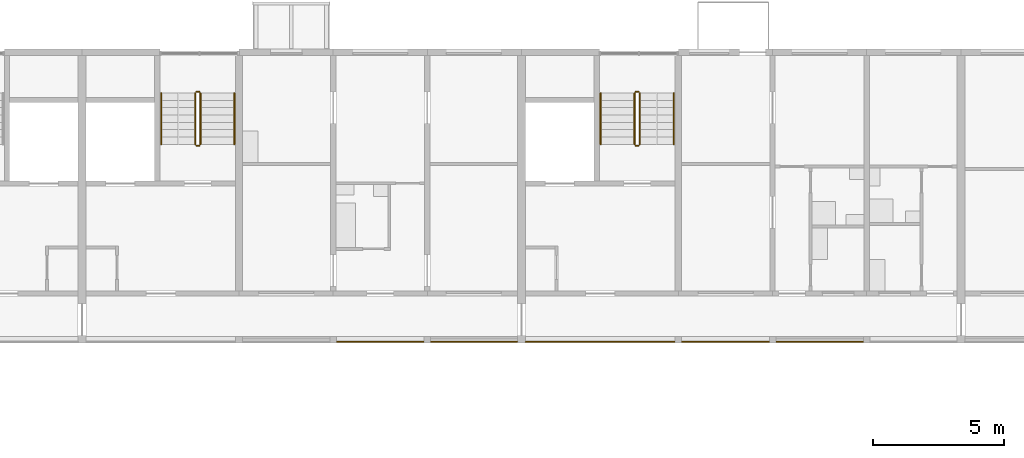
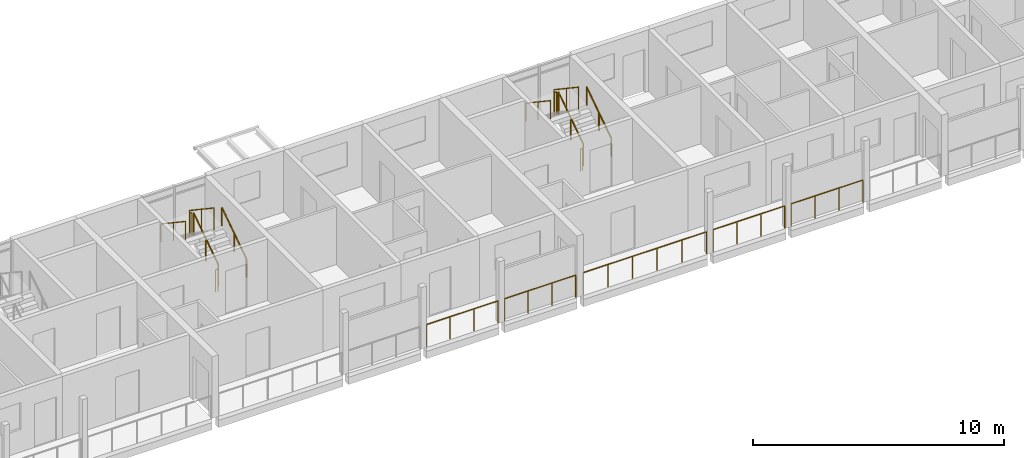
# One storey, part 81 of 99: 17 railings.
"""IFC4 building model written with IfcOpenShell, lengths in metres."""

import ifcopenshell
import ifcopenshell.guid

model = None  # the IFC model being written
_history = None  # IfcOwnerHistory: only IFC2X3 demands one
_inside = {}  # id of a spatial element -> (the spatial element, [elements in it])
_under = {}  # id of a project, library or spatial element -> (it, [spatial elements below it])
_declared = {}  # id of a project -> (the project, [libraries it declares])
_typed = {}  # id of a type object -> (the type object, [elements of that type])
_made_of = {}  # id of a material, layer set ... -> (it, [elements and type objects made of it])


def new_model(schema):
    """Start an empty IFC model of exactly this schema.

    Asked for "IFC4X3", IfcOpenShell would pick the latest addendum, in which some entities
    have other attributes; the version numbers below select the first issue.
    IFC2X3 requires an IfcOwnerHistory on every rooted entity: one is made here for all.
    """
    global model, _history
    if schema == "IFC4X3":
        model = ifcopenshell.file(schema_version=(4, 3, 0, 0))
    else:
        model = ifcopenshell.file(schema=schema)
    _inside.clear()
    _under.clear()
    _declared.clear()
    _typed.clear()
    _made_of.clear()
    _history = None
    if model.schema == "IFC2X3":
        org = make("IfcOrganization", Name="unknown")
        user = make(
            "IfcPersonAndOrganization",
            ThePerson=make("IfcPerson", FamilyName="unknown"),
            TheOrganization=org,
        )
        app = make(
            "IfcApplication",
            ApplicationDeveloper=org,
            Version="unknown",
            ApplicationFullName="unknown",
            ApplicationIdentifier="unknown",
        )
        _history = make(
            "IfcOwnerHistory",
            OwningUser=user,
            OwningApplication=app,
            ChangeAction="ADDED",
            CreationDate=0,
        )
    return model


def make(cls, **values):
    """One entity of the class cls with the attributes given. An attribute that is None is left unset."""
    return model.create_entity(
        cls, **{name: value for name, value in values.items() if value is not None}
    )


def rooted(cls, **values):
    """An entity with a GlobalId (a new one), such as an element, a storey or a relation."""
    return make(cls, GlobalId=ifcopenshell.guid.new(), OwnerHistory=_history, **values)


def si_unit(unit_type, name, prefix=None):
    """IfcSIUnit, for example si_unit("LENGTHUNIT", "METRE", prefix="MILLI")."""
    return make("IfcSIUnit", UnitType=unit_type, Prefix=prefix, Name=name)


def assignment(units):
    """IfcUnitAssignment: the units of a project."""
    return None if units is None else make("IfcUnitAssignment", Units=units)


def point(xyz):
    """IfcCartesianPoint."""
    return None if xyz is None else make("IfcCartesianPoint", Coordinates=xyz)


def direction(xyz):
    """IfcDirection."""
    return None if xyz is None else make("IfcDirection", DirectionRatios=xyz)


def frame(location, z_axis=None, x_axis=None):
    """IfcAxis2Placement3D, a coordinate frame: its origin and axes. An axis left out is left unset."""
    return make(
        "IfcAxis2Placement3D",
        Location=point(location),
        Axis=direction(z_axis),
        RefDirection=direction(x_axis),
    )


def frame_2d(location, x_axis=None):
    """IfcAxis2Placement2D, a coordinate frame in the plane: its origin and x axis."""
    return make(
        "IfcAxis2Placement2D", Location=point(location), RefDirection=direction(x_axis)
    )


def origin():
    """The frame at (0, 0, 0) with its axes left unset."""
    return frame((0.0, 0.0, 0.0))


def origin_2d():
    """The frame at (0, 0) in the plane with its x axis left unset."""
    return frame_2d((0.0, 0.0))


def place(relative_to, where):
    """IfcLocalPlacement: puts the frame where relative to a parent placement (None: the world)."""
    return make(
        "IfcLocalPlacement", PlacementRelTo=relative_to, RelativePlacement=where
    )


def context(
    kind, dimensions, precision=None, world=None, true_north=None, identifier=None
):
    """IfcGeometricRepresentationContext, for example the 3D "Model" context."""
    return make(
        "IfcGeometricRepresentationContext",
        ContextIdentifier=identifier,
        ContextType=kind,
        CoordinateSpaceDimension=dimensions,
        Precision=precision,
        WorldCoordinateSystem=world,
        TrueNorth=true_north,
    )


def subcontext(parent, identifier, kind, view, scale=None):
    """IfcGeometricRepresentationSubContext, for example "Body" below "Model"."""
    return make(
        "IfcGeometricRepresentationSubContext",
        ContextIdentifier=identifier,
        ContextType=kind,
        ParentContext=parent,
        TargetScale=scale,
        TargetView=view,
    )


def project(units=None, contexts=None):
    """IfcProject with its units and contexts."""
    return rooted(
        "IfcProject",
        Name="project",
        RepresentationContexts=contexts,
        UnitsInContext=assignment(units),
    )


def spatial(cls, under=None, at=None, **own):
    """A site, building, storey or space (cls), placed at a placement, below another one or the project."""
    s = rooted(cls, ObjectPlacement=at, **own)
    if under is not None:
        _under.setdefault(under.id(), (under, []))[1].append(s)
    return s


def profile(cls, at=None, kind="AREA", **sizes):
    """A parametric profile (cls). Its sizes go by their IFC names, for example OverallWidth=200.0."""
    return make(cls, ProfileType=kind, Position=at, **sizes)


def circle(**sizes):
    """IfcCircleProfileDef."""
    return profile("IfcCircleProfileDef", **sizes)


def extrude(swept, where, along, depth):
    """IfcExtrudedAreaSolid: the profile swept, set in the frame where, extruded along a direction by depth."""
    return make(
        "IfcExtrudedAreaSolid",
        SweptArea=swept,
        Position=where,
        ExtrudedDirection=direction(along),
        Depth=depth,
    )


def shape(context_of_items, identifier, shape_type, items):
    """IfcShapeRepresentation: the items that make up one representation, for example the "Body"."""
    return make(
        "IfcShapeRepresentation",
        ContextOfItems=context_of_items,
        RepresentationIdentifier=identifier,
        RepresentationType=shape_type,
        Items=items,
    )


def material(Name=None, Category=None):
    """IfcMaterial."""
    return make("IfcMaterial", Name=Name, Category=Category)


def made_of(thing, what):
    """Note that an element or type object is made of a material, layer set ...; save() writes the relation."""
    if what is not None:
        _made_of.setdefault(what.id(), (what, []))[1].append(thing)
    return thing


def type_object(cls, material=None, **own):
    """A type object (cls), such as IfcWallType, which elements share."""
    return made_of(rooted(cls, **own), material)


def element(
    cls,
    number,
    at=None,
    inside=None,
    cuts=None,
    type_object=None,
    material=None,
    context=None,
    identifier="Body",
    shape_type=None,
    held_by="IfcProductDefinitionShape",
    body=None,
    shapes=None,
    **own,
):
    """One element of the class cls, such as IfcWall. Its Tag is "e" and its number.

    at: its placement. inside: the storey or other place that contains it. cuts: it is an
    opening in that element (IfcRelVoidsElement). A single representation is given by context,
    identifier, shape_type and body (its items); several are given by shapes. held_by: the class
    of the entity that holds the representations. save() writes the other relations.
    """
    e = rooted(cls, Tag="e%d" % number, ObjectPlacement=at, **own)
    if body is not None:
        shapes = [shape(context, identifier, shape_type, body)]
    if shapes is not None:
        e.Representation = make(held_by, Representations=shapes)
    if inside is not None:
        _inside.setdefault(inside.id(), (inside, []))[1].append(e)
    if cuts is not None:
        rooted(
            "IfcRelVoidsElement", RelatingBuildingElement=cuts, RelatedOpeningElement=e
        )
    if type_object is not None:
        _typed.setdefault(type_object.id(), (type_object, []))[1].append(e)
    return made_of(e, material)


def aggregate(whole, parts):
    """IfcRelAggregates: a whole, such as a stair, and the parts it consists of."""
    return rooted("IfcRelAggregates", RelatingObject=whole, RelatedObjects=parts)


def save(model, path):
    """Write the relations noted so far, then the file.

    IfcRelAggregates (storeys below a building ...), IfcRelContainedInSpatialStructure (elements
    in a storey), IfcRelDefinesByType, IfcRelAssociatesMaterial and IfcRelDeclares: one each for
    every whole, place, type object, material and project.
    """
    for whole, parts in _under.values():
        aggregate(whole, parts)
    for where, things in _inside.values():
        rooted(
            "IfcRelContainedInSpatialStructure",
            RelatedElements=things,
            RelatingStructure=where,
        )
    for kind, things in _typed.values():
        rooted("IfcRelDefinesByType", RelatedObjects=things, RelatingType=kind)
    for what, things in _made_of.values():
        rooted("IfcRelAssociatesMaterial", RelatedObjects=things, RelatingMaterial=what)
    for by, libraries in _declared.values():
        rooted("IfcRelDeclares", RelatingContext=by, RelatedDefinitions=libraries)
    model.write(path)


model = new_model("IFC4")

# Units and contexts
model_context = context("Model", 3, precision=1e-05, world=origin(), true_north=direction((0.0, 1.0)))
body_context = subcontext(model_context, "Body", "Model", "MODEL_VIEW")
ifc_project = project(units=[si_unit("LENGTHUNIT", "METRE"), si_unit("AREAUNIT", "SQUARE_METRE"), si_unit("VOLUMEUNIT", "CUBIC_METRE"), si_unit("PLANEANGLEUNIT", "RADIAN"), si_unit("MASSUNIT", "GRAM", prefix="KILO")], contexts=[model_context])

# Site, building, storey
site_placement = place(None, origin())
site = spatial("IfcSite", under=ifc_project, at=site_placement, CompositionType="ELEMENT")
building_placement = place(site_placement, origin())
building = spatial("IfcBuilding", under=site, at=building_placement, Name="Ridgestep Commons", CompositionType="ELEMENT")
storey_placement = place(building_placement, frame((0.0, 0.0, 15.0)))
storey = spatial("IfcBuildingStorey", under=building, at=storey_placement, Name="L05", CompositionType="ELEMENT", Elevation=15.0)

# Railings
ifc_material_1 = material(Name="Structural steel S355JR", Category="steel")
railing_type_1 = type_object("IfcRailingType", Name="Guard 1100", PredefinedType="GUARDRAIL", material=ifc_material_1)
railing_1_placement = place(storey_placement, frame((38.5458984375, 66.050048828125, 0.0)))
element("IfcRailing", 1, at=railing_1_placement, inside=storey, type_object=railing_type_1, Name="Gallery guard B 05.7", PredefinedType="GUARDRAIL", context=body_context, shape_type="SweptSolid", body=[
    extrude(circle(Radius=0.02392578125, at=origin_2d()), frame((0.0, 0.0, 1.076171875), z_axis=(1.0, 0.0, 0.0), x_axis=(0.0, 1.0, 0.0)), (0.0, 0.0, 1.0), 3.30810546875),
    extrude(circle(Radius=0.02099609375, at=origin_2d()), origin(), (0.0, 0.0, 1.0), 1.052001953125),
    extrude(circle(Radius=0.02099609375, at=origin_2d()), frame((1.102783203125, 0.0, 0.0)), (0.0, 0.0, 1.0), 1.052001953125),
    extrude(circle(Radius=0.02099609375, at=origin_2d()), frame((2.205322265625, 0.0, 0.0)), (0.0, 0.0, 1.0), 1.052001953125),
    extrude(circle(Radius=0.02099609375, at=origin_2d()), frame((3.30810546875, 0.0, 0.0)), (0.0, 0.0, 1.0), 1.052001953125),
])
railing_2_placement = place(storey_placement, frame((42.14599609375, 66.050048828125, 0.0)))
element("IfcRailing", 2, at=railing_2_placement, inside=storey, type_object=railing_type_1, Name="Gallery guard B 05.8", PredefinedType="GUARDRAIL", context=body_context, shape_type="SweptSolid", body=[
    extrude(circle(Radius=0.02392578125, at=origin_2d()), frame((0.0, 0.0, 1.076171875), z_axis=(1.0, 0.0, 0.0), x_axis=(0.0, 1.0, 0.0)), (0.0, 0.0, 1.0), 3.282958984375),
    extrude(circle(Radius=0.02099609375, at=origin_2d()), origin(), (0.0, 0.0, 1.0), 1.052001953125),
    extrude(circle(Radius=0.02099609375, at=origin_2d()), frame((1.09423828125, 0.0, 0.0)), (0.0, 0.0, 1.0), 1.052001953125),
    extrude(circle(Radius=0.02099609375, at=origin_2d()), frame((2.188720703125, 0.0, 0.0)), (0.0, 0.0, 1.0), 1.052001953125),
    extrude(circle(Radius=0.02099609375, at=origin_2d()), frame((3.282958984375, 0.0, 0.0)), (0.0, 0.0, 1.0), 1.052001953125),
])
railing_3_placement = place(storey_placement, frame((45.77099609375, 66.050048828125, 0.0)))
element("IfcRailing", 3, at=railing_3_placement, inside=storey, type_object=railing_type_1, Name="Gallery guard B 05.9", PredefinedType="GUARDRAIL", context=body_context, shape_type="SweptSolid", body=[
    extrude(circle(Radius=0.02392578125, at=origin_2d()), frame((0.0, 0.0, 1.076171875), z_axis=(1.0, 0.0, 0.0), x_axis=(0.0, 1.0, 0.0)), (0.0, 0.0, 1.0), 5.68310546875),
    extrude(circle(Radius=0.02099609375, at=origin_2d()), origin(), (0.0, 0.0, 1.0), 1.052001953125),
    extrude(circle(Radius=0.02099609375, at=origin_2d()), frame((1.13671875, 0.0, 0.0)), (0.0, 0.0, 1.0), 1.052001953125),
    extrude(circle(Radius=0.02099609375, at=origin_2d()), frame((2.273193359375, 0.0, 0.0)), (0.0, 0.0, 1.0), 1.052001953125),
    extrude(circle(Radius=0.02099609375, at=origin_2d()), frame((3.409912109375, 0.0, 0.0)), (0.0, 0.0, 1.0), 1.052001953125),
    extrude(circle(Radius=0.02099609375, at=origin_2d()), frame((4.54638671875, 0.0, 0.0)), (0.0, 0.0, 1.0), 1.052001953125),
    extrude(circle(Radius=0.02099609375, at=origin_2d()), frame((5.68310546875, 0.0, 0.0)), (0.0, 0.0, 1.0), 1.052001953125),
])
railing_4_placement = place(storey_placement, frame((51.74609375, 66.050048828125, 0.0)))
element("IfcRailing", 4, at=railing_4_placement, inside=storey, type_object=railing_type_1, Name="Gallery guard B 05.10", PredefinedType="GUARDRAIL", context=body_context, shape_type="SweptSolid", body=[
    extrude(circle(Radius=0.02392578125, at=origin_2d()), frame((0.0, 0.0, 1.076171875), z_axis=(1.0, 0.0, 0.0), x_axis=(0.0, 1.0, 0.0)), (0.0, 0.0, 1.0), 3.307861328125),
    extrude(circle(Radius=0.02099609375, at=origin_2d()), origin(), (0.0, 0.0, 1.0), 1.052001953125),
    extrude(circle(Radius=0.02099609375, at=origin_2d()), frame((1.1025390625, 0.0, 0.0)), (0.0, 0.0, 1.0), 1.052001953125),
    extrude(circle(Radius=0.02099609375, at=origin_2d()), frame((2.205322265625, 0.0, 0.0)), (0.0, 0.0, 1.0), 1.052001953125),
    extrude(circle(Radius=0.02099609375, at=origin_2d()), frame((3.307861328125, 0.0, 0.0)), (0.0, 0.0, 1.0), 1.052001953125),
])
railing_5_placement = place(storey_placement, frame((55.345947265625, 66.050048828125, 0.0)))
element("IfcRailing", 5, at=railing_5_placement, inside=storey, type_object=railing_type_1, Name="Gallery guard B 05.11", PredefinedType="GUARDRAIL", context=body_context, shape_type="SweptSolid", body=[
    extrude(circle(Radius=0.02392578125, at=origin_2d()), frame((0.0, 0.0, 1.076171875), z_axis=(1.0, 0.0, 0.0), x_axis=(0.0, 1.0, 0.0)), (0.0, 0.0, 1.0), 3.30810546875),
    extrude(circle(Radius=0.02099609375, at=origin_2d()), origin(), (0.0, 0.0, 1.0), 1.052001953125),
    extrude(circle(Radius=0.02099609375, at=origin_2d()), frame((1.102783203125, 0.0, 0.0)), (0.0, 0.0, 1.0), 1.052001953125),
    extrude(circle(Radius=0.02099609375, at=origin_2d()), frame((2.205322265625, 0.0, 0.0)), (0.0, 0.0, 1.0), 1.052001953125),
    extrude(circle(Radius=0.02099609375, at=origin_2d()), frame((3.30810546875, 0.0, 0.0)), (0.0, 0.0, 1.0), 1.052001953125),
])
ifc_material_2 = material(Name="Structural steel S355JR", Category="steel")
railing_type_2 = type_object("IfcRailingType", Name="Stair guard 1100", PredefinedType="GUARDRAIL", material=ifc_material_2)
railing_6_placement = place(storey_placement, frame((33.324951171875, 73.60009765625, 0.1875)))
element("IfcRailing", 6, at=railing_6_placement, inside=storey, type_object=railing_type_2, Name="L05 B2C stair guard 1", PredefinedType="GUARDRAIL", context=body_context, shape_type="SweptSolid", body=[
    extrude(circle(Radius=0.02392578125, at=origin_2d()), frame((0.0, 0.0, 1.076171875), z_axis=(0.0, 0.830902050051, 0.556418712142), x_axis=(-1.0, 0.0, 0.0)), (0.0, 0.0, 1.0), 2.35888671875),
    extrude(circle(Radius=0.02099609375, at=origin_2d()), origin(), (0.0, 0.0, 1.0), 1.052001953125),
    extrude(circle(Radius=0.02099609375, at=origin_2d()), frame((0.0, 0.97998046875, 0.65625)), (0.0, 0.0, 1.0), 1.052001953125),
    extrude(circle(Radius=0.02099609375, at=origin_2d()), frame((0.0, 1.9599609375, 1.3125)), (0.0, 0.0, 1.0), 1.052001953125),
])
railing_7_placement = place(storey_placement, frame((33.27490234375, 75.610107421875, 1.5)))
element("IfcRailing", 7, at=railing_7_placement, inside=storey, type_object=railing_type_2, Name="L05 B2C stair guard 2", PredefinedType="GUARDRAIL", context=body_context, shape_type="SweptSolid", body=[
    extrude(circle(Radius=0.02392578125, at=origin_2d()), frame((0.0, 0.0, 1.076171875), z_axis=(-1.0, 0.0, 0.0), x_axis=(0.0, -1.0, 0.0)), (0.0, 0.0, 1.0), 0.099853515625),
    extrude(circle(Radius=0.02099609375, at=origin_2d()), origin(), (0.0, 0.0, 1.0), 1.052001953125),
    extrude(circle(Radius=0.02099609375, at=origin_2d()), frame((-0.099853515625, 0.0, 0.0)), (0.0, 0.0, 1.0), 1.052001953125),
])
railing_8_placement = place(storey_placement, frame((33.125, 75.56005859375, 1.6875)))
element("IfcRailing", 8, at=railing_8_placement, inside=storey, type_object=railing_type_2, Name="L05 B2C stair guard 3", PredefinedType="GUARDRAIL", context=body_context, shape_type="SweptSolid", body=[
    extrude(circle(Radius=0.02392578125, at=origin_2d()), frame((0.0, 0.0, 1.076171875), z_axis=(0.0, -0.830902050051, 0.556418712142), x_axis=(1.0, 0.0, 0.0)), (0.0, 0.0, 1.0), 2.35888671875),
    extrude(circle(Radius=0.02099609375, at=origin_2d()), origin(), (0.0, 0.0, 1.0), 1.052001953125),
    extrude(circle(Radius=0.02099609375, at=origin_2d()), frame((0.0, -0.97998046875, 0.65625)), (0.0, 0.0, 1.0), 1.052001953125),
    extrude(circle(Radius=0.02099609375, at=origin_2d()), frame((0.0, -1.9599609375, 1.3125)), (0.0, 0.0, 1.0), 1.052001953125),
])
railing_9_placement = place(storey_placement, frame((33.27490234375, 73.550048828125, 0.0)))
element("IfcRailing", 9, at=railing_9_placement, inside=storey, type_object=railing_type_2, Name="L05 B2C stair guard 4", PredefinedType="GUARDRAIL", context=body_context, shape_type="SweptSolid", body=[
    extrude(circle(Radius=0.02392578125, at=origin_2d()), frame((0.0, 0.0, 1.076171875), z_axis=(-1.0, 0.0, 0.0), x_axis=(0.0, -1.0, 0.0)), (0.0, 0.0, 1.0), 0.099853515625),
    extrude(circle(Radius=0.02099609375, at=origin_2d()), origin(), (0.0, 0.0, 1.0), 1.052001953125),
    extrude(circle(Radius=0.02099609375, at=origin_2d()), frame((-0.099853515625, 0.0, 0.0)), (0.0, 0.0, 1.0), 1.052001953125),
])
railing_10_placement = place(storey_placement, frame((50.125, 73.60009765625, 0.1875)))
element("IfcRailing", 10, at=railing_10_placement, inside=storey, type_object=railing_type_2, Name="L05 B3C stair guard 1", PredefinedType="GUARDRAIL", context=body_context, shape_type="SweptSolid", body=[
    extrude(circle(Radius=0.02392578125, at=origin_2d()), frame((0.0, 0.0, 1.076171875), z_axis=(0.0, 0.830902050051, 0.556418712142), x_axis=(-1.0, 0.0, 0.0)), (0.0, 0.0, 1.0), 2.35888671875),
    extrude(circle(Radius=0.02099609375, at=origin_2d()), origin(), (0.0, 0.0, 1.0), 1.052001953125),
    extrude(circle(Radius=0.02099609375, at=origin_2d()), frame((0.0, 0.97998046875, 0.65625)), (0.0, 0.0, 1.0), 1.052001953125),
    extrude(circle(Radius=0.02099609375, at=origin_2d()), frame((0.0, 1.9599609375, 1.3125)), (0.0, 0.0, 1.0), 1.052001953125),
])
railing_11_placement = place(storey_placement, frame((50.074951171875, 75.610107421875, 1.5)))
element("IfcRailing", 11, at=railing_11_placement, inside=storey, type_object=railing_type_2, Name="L05 B3C stair guard 2", PredefinedType="GUARDRAIL", context=body_context, shape_type="SweptSolid", body=[
    extrude(circle(Radius=0.02392578125, at=origin_2d()), frame((0.0, 0.0, 1.076171875), z_axis=(-1.0, 0.0, 0.0), x_axis=(0.0, -1.0, 0.0)), (0.0, 0.0, 1.0), 0.099853515625),
    extrude(circle(Radius=0.02099609375, at=origin_2d()), origin(), (0.0, 0.0, 1.0), 1.052001953125),
    extrude(circle(Radius=0.02099609375, at=origin_2d()), frame((-0.099853515625, 0.0, 0.0)), (0.0, 0.0, 1.0), 1.052001953125),
])
railing_12_placement = place(storey_placement, frame((49.925048828125, 75.56005859375, 1.6875)))
element("IfcRailing", 12, at=railing_12_placement, inside=storey, type_object=railing_type_2, Name="L05 B3C stair guard 3", PredefinedType="GUARDRAIL", context=body_context, shape_type="SweptSolid", body=[
    extrude(circle(Radius=0.02392578125, at=origin_2d()), frame((0.0, 0.0, 1.076171875), z_axis=(0.0, -0.830902050051, 0.556418712142), x_axis=(1.0, 0.0, 0.0)), (0.0, 0.0, 1.0), 2.35888671875),
    extrude(circle(Radius=0.02099609375, at=origin_2d()), origin(), (0.0, 0.0, 1.0), 1.052001953125),
    extrude(circle(Radius=0.02099609375, at=origin_2d()), frame((0.0, -0.97998046875, 0.65625)), (0.0, 0.0, 1.0), 1.052001953125),
    extrude(circle(Radius=0.02099609375, at=origin_2d()), frame((0.0, -1.9599609375, 1.3125)), (0.0, 0.0, 1.0), 1.052001953125),
])
railing_13_placement = place(storey_placement, frame((50.074951171875, 73.550048828125, 0.0)))
element("IfcRailing", 13, at=railing_13_placement, inside=storey, type_object=railing_type_2, Name="L05 B3C stair guard 4", PredefinedType="GUARDRAIL", context=body_context, shape_type="SweptSolid", body=[
    extrude(circle(Radius=0.02392578125, at=origin_2d()), frame((0.0, 0.0, 1.076171875), z_axis=(-1.0, 0.0, 0.0), x_axis=(0.0, -1.0, 0.0)), (0.0, 0.0, 1.0), 0.099853515625),
    extrude(circle(Radius=0.02099609375, at=origin_2d()), origin(), (0.0, 0.0, 1.0), 1.052001953125),
    extrude(circle(Radius=0.02099609375, at=origin_2d()), frame((-0.099853515625, 0.0, 0.0)), (0.0, 0.0, 1.0), 1.052001953125),
])
ifc_material_3 = material(Name="Structural steel S355JR", Category="steel")
railing_type_3 = type_object("IfcRailingType", Name="Stair handrail 900", PredefinedType="HANDRAIL", material=ifc_material_3)
railing_14_placement = place(storey_placement, frame((34.625, 73.60009765625, 0.1875)))
element("IfcRailing", 14, at=railing_14_placement, inside=storey, type_object=railing_type_3, Name="L05 B2C stair handrail 1", PredefinedType="HANDRAIL", context=body_context, shape_type="SweptSolid", body=[
    extrude(circle(Radius=0.02392578125, at=origin_2d()), frame((0.0, 0.0, 0.8759765625), z_axis=(0.0, 0.830902050051, 0.556418712142), x_axis=(-1.0, 0.0, 0.0)), (0.0, 0.0, 1.0), 2.35888671875),
    extrude(circle(Radius=0.02099609375, at=origin_2d()), origin(), (0.0, 0.0, 1.0), 0.851806640625),
    extrude(circle(Radius=0.02099609375, at=origin_2d()), frame((0.0, 0.97998046875, 0.65625)), (0.0, 0.0, 1.0), 0.851806640625),
    extrude(circle(Radius=0.02099609375, at=origin_2d()), frame((0.0, 1.9599609375, 1.3125)), (0.0, 0.0, 1.0), 0.851806640625),
])
railing_15_placement = place(storey_placement, frame((31.824951171875, 75.56005859375, 1.6875)))
element("IfcRailing", 15, at=railing_15_placement, inside=storey, type_object=railing_type_3, Name="L05 B2C stair handrail 2", PredefinedType="HANDRAIL", context=body_context, shape_type="SweptSolid", body=[
    extrude(circle(Radius=0.02392578125, at=origin_2d()), frame((0.0, 0.0, 0.8759765625), z_axis=(0.0, -0.830902050051, 0.556418712142), x_axis=(1.0, 0.0, 0.0)), (0.0, 0.0, 1.0), 2.35888671875),
    extrude(circle(Radius=0.02099609375, at=origin_2d()), origin(), (0.0, 0.0, 1.0), 0.851806640625),
    extrude(circle(Radius=0.02099609375, at=origin_2d()), frame((0.0, -0.97998046875, 0.65625)), (0.0, 0.0, 1.0), 0.851806640625),
    extrude(circle(Radius=0.02099609375, at=origin_2d()), frame((0.0, -1.9599609375, 1.3125)), (0.0, 0.0, 1.0), 0.851806640625),
])
railing_16_placement = place(storey_placement, frame((51.425048828125, 73.60009765625, 0.1875)))
element("IfcRailing", 16, at=railing_16_placement, inside=storey, type_object=railing_type_3, Name="L05 B3C stair handrail 1", PredefinedType="HANDRAIL", context=body_context, shape_type="SweptSolid", body=[
    extrude(circle(Radius=0.02392578125, at=origin_2d()), frame((0.0, 0.0, 0.8759765625), z_axis=(0.0, 0.830902050051, 0.556418712142), x_axis=(-1.0, 0.0, 0.0)), (0.0, 0.0, 1.0), 2.35888671875),
    extrude(circle(Radius=0.02099609375, at=origin_2d()), origin(), (0.0, 0.0, 1.0), 0.851806640625),
    extrude(circle(Radius=0.02099609375, at=origin_2d()), frame((0.0, 0.97998046875, 0.65625)), (0.0, 0.0, 1.0), 0.851806640625),
    extrude(circle(Radius=0.02099609375, at=origin_2d()), frame((0.0, 1.9599609375, 1.3125)), (0.0, 0.0, 1.0), 0.851806640625),
])
railing_17_placement = place(storey_placement, frame((48.625, 75.56005859375, 1.6875)))
element("IfcRailing", 17, at=railing_17_placement, inside=storey, type_object=railing_type_3, Name="L05 B3C stair handrail 2", PredefinedType="HANDRAIL", context=body_context, shape_type="SweptSolid", body=[
    extrude(circle(Radius=0.02392578125, at=origin_2d()), frame((0.0, 0.0, 0.8759765625), z_axis=(0.0, -0.830902050051, 0.556418712142), x_axis=(1.0, 0.0, 0.0)), (0.0, 0.0, 1.0), 2.35888671875),
    extrude(circle(Radius=0.02099609375, at=origin_2d()), origin(), (0.0, 0.0, 1.0), 0.851806640625),
    extrude(circle(Radius=0.02099609375, at=origin_2d()), frame((0.0, -0.97998046875, 0.65625)), (0.0, 0.0, 1.0), 0.851806640625),
    extrude(circle(Radius=0.02099609375, at=origin_2d()), frame((0.0, -1.9599609375, 1.3125)), (0.0, 0.0, 1.0), 0.851806640625),
])

save(model, "model.ifc")
